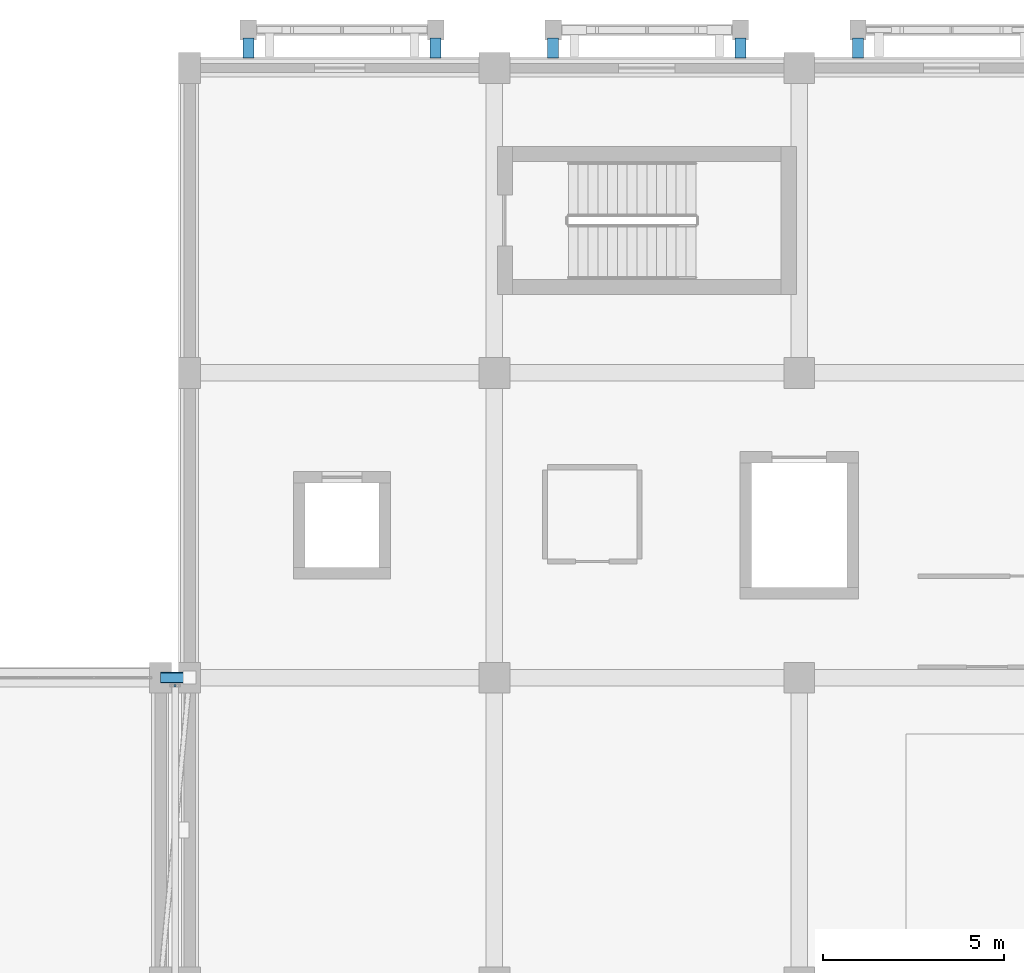
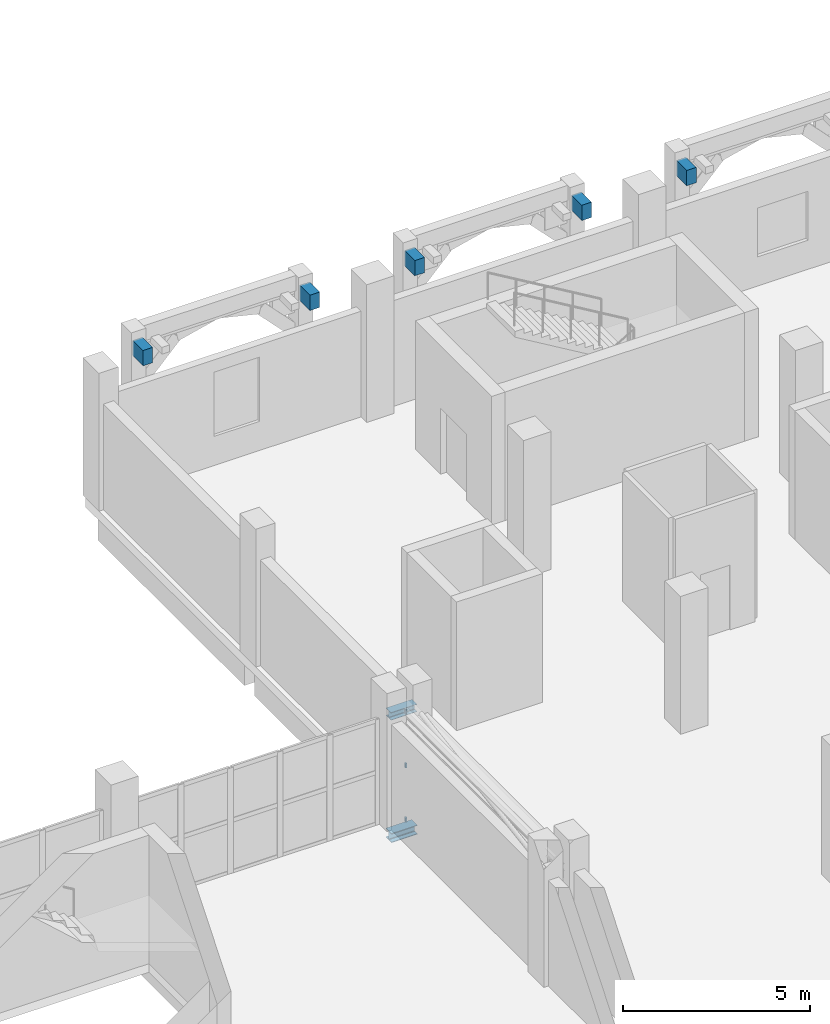
# One storey, part 85 of 137: 7 beams, 3 members, 1 element without a shape of its own.
"""IFC4 building model written with IfcOpenShell, lengths in metres."""

from ifc_helpers import new_model, si_unit, direction, frame, origin, origin_2d, place, context, subcontext, project, spatial, rectangle, hollow_rectangle, i_section, extrude, material, layer, layer_set, material_profile, profile_set, type_object, element, aggregate, save


model = new_model("IFC4")

# Units and contexts
model_context = context("Model", 3, precision=1e-05, world=origin(), true_north=direction((0.0, 1.0)))
body_context = subcontext(model_context, "Body", "Model", "MODEL_VIEW")
ifc_project = project(units=[si_unit("LENGTHUNIT", "METRE"), si_unit("AREAUNIT", "SQUARE_METRE"), si_unit("VOLUMEUNIT", "CUBIC_METRE"), si_unit("PLANEANGLEUNIT", "RADIAN"), si_unit("MASSUNIT", "GRAM", prefix="KILO")], contexts=[model_context])

# Site, building, storey
site_placement = place(None, origin())
site = spatial("IfcSite", under=ifc_project, at=site_placement, CompositionType="ELEMENT")
building_placement = place(site_placement, origin())
building = spatial("IfcBuilding", under=site, at=building_placement, Name="Xazarin Passage Department Store", CompositionType="ELEMENT")
storey_placement = place(building_placement, frame((0.0, 0.0, 5.39990234375)))
storey = spatial("IfcBuildingStorey", under=building, at=storey_placement, Name="L01", CompositionType="ELEMENT", Elevation=5.39990234375)

# Curtain wall, members
ifc_material_1 = material(Name="Bronze anodised aluminium", Category="aluminium")
ifc_layer = layer(ifc_material_1, 0.14990234375)
ifc_layer_set = layer_set([ifc_layer], Name="Bronze anodised aluminium")
curtain_wall_type = type_object("IfcCurtainWallType", Name="ARC-CW-BRG1", PredefinedType="NOTDEFINED", material=ifc_layer_set)
curtain_wall_placement = place(storey_placement, origin())
curtain_wall = element("IfcCurtainWall", 1, at=curtain_wall_placement, inside=storey, type_object=curtain_wall_type, Name="L01 BR-V2N-V4 Bridge Curtain Wall 2", PredefinedType="NOTDEFINED")
ifc_material_profile_1 = material_profile(ifc_material_1, hollow_rectangle(XDim=0.06494140625, YDim=0.139892578125, WallThickness=0.00390625, at=origin_2d()), Name="ALU 65x140")
ifc_profile_set_1 = profile_set([ifc_material_profile_1], Name="Bronze anodised aluminium")
member_type = type_object("IfcMemberType", Name="ARC-CWT-65x140", PredefinedType="USERDEFINED", material=ifc_profile_set_1)
member_1_placement = place(storey_placement, frame((101.97509765625, 92.97998046875, 0.03271484375), z_axis=(1.0, 0.0, 0.0), x_axis=(0.0, 1.0, 0.0)))
member_1 = element("IfcMember", 2, at=member_1_placement, type_object=member_type, Name="CW7 transom 1.1", ObjectType="TRANSOM", PredefinedType="USERDEFINED", context=body_context, shape_type="SweptSolid", body=[
    extrude(hollow_rectangle(XDim=0.06494140625, YDim=0.139892578125, WallThickness=0.00390625, at=origin_2d()), origin(), (0.0, 0.0, 1.0), 0.0498046875),
])
member_2_placement = place(storey_placement, frame((101.97509765625, 92.97998046875, 1.800048828125), z_axis=(1.0, 0.0, 0.0), x_axis=(0.0, 1.0, 0.0)))
member_2 = element("IfcMember", 3, at=member_2_placement, type_object=member_type, Name="CW7 transom 1.2", ObjectType="TRANSOM", PredefinedType="USERDEFINED", context=body_context, shape_type="SweptSolid", body=[
    extrude(hollow_rectangle(XDim=0.06494140625, YDim=0.139892578125, WallThickness=0.00390625, at=origin_2d()), origin(), (0.0, 0.0, 1.0), 0.0498046875),
])
member_3_placement = place(storey_placement, frame((101.97509765625, 92.97998046875, 3.567626953125), z_axis=(1.0, 0.0, 0.0), x_axis=(0.0, 1.0, 0.0)))
member_3 = element("IfcMember", 4, at=member_3_placement, type_object=member_type, Name="CW7 transom 1.3", ObjectType="TRANSOM", PredefinedType="USERDEFINED", context=body_context, shape_type="SweptSolid", body=[
    extrude(hollow_rectangle(XDim=0.06494140625, YDim=0.139892578125, WallThickness=0.00390625, at=origin_2d()), origin(), (0.0, 0.0, 1.0), 0.0498046875),
])
aggregate(curtain_wall, [member_1, member_2, member_3])

# Beams
ifc_material_2 = material(Name="Steel S355", Category="steel")
ifc_material_profile_2 = material_profile(ifc_material_2, i_section(OverallWidth=0.300048828125, OverallDepth=0.300048828125, WebThickness=0.010986328125, FlangeThickness=0.01904296875, FilletRadius=0.027099609375, at=origin_2d()), Name="HEB 300")
ifc_profile_set_2 = profile_set([ifc_material_profile_2], Name="Steel S355")
beam_type_1 = type_object("IfcBeamType", Name="STR-BM-BR300", PredefinedType="BEAM", material=ifc_profile_set_2)
beam_1_placement = place(storey_placement, frame((101.60009765625, 93.199951171875, -0.489990234375), z_axis=(1.0, 0.0, 0.0), x_axis=(0.0, 1.0, 0.0)))
element("IfcBeam", 5, at=beam_1_placement, inside=storey, type_object=beam_type_1, Name="L01 BR-V2N-V4 Bridge Girder B", PredefinedType="BEAM", context=body_context, shape_type="SweptSolid", body=[
    extrude(i_section(OverallWidth=0.300048828125, OverallDepth=0.300048828125, WebThickness=0.010986328125, FlangeThickness=0.01904296875, FilletRadius=0.027099609375, at=origin_2d()), origin(), (0.0, 0.0, 1.0), 0.7998046875),
])
ifc_material_profile_3 = material_profile(ifc_material_2, i_section(OverallWidth=0.260009765625, OverallDepth=0.25, WebThickness=0.007568359375, FlangeThickness=0.012451171875, FilletRadius=0.02392578125, at=origin_2d()), Name="HEA 260")
ifc_profile_set_3 = profile_set([ifc_material_profile_3], Name="Steel S355")
beam_type_2 = type_object("IfcBeamType", Name="STR-BM-CAN260", PredefinedType="BEAM", material=ifc_profile_set_3)
beam_2_placement = place(storey_placement, frame((101.60009765625, 93.199951171875, 3.47509765625), z_axis=(1.0, 0.0, 0.0), x_axis=(0.0, 1.0, 0.0)))
element("IfcBeam", 6, at=beam_2_placement, inside=storey, type_object=beam_type_2, Name="L01 BR-V2N-V4 Bridge Roof Beam B", PredefinedType="BEAM", context=body_context, shape_type="SweptSolid", body=[
    extrude(i_section(OverallWidth=0.260009765625, OverallDepth=0.25, WebThickness=0.007568359375, FlangeThickness=0.012451171875, FilletRadius=0.02392578125, at=origin_2d()), origin(), (0.0, 0.0, 1.0), 0.7998046875),
])
ifc_material_3 = material(Name="Concrete C35/45", Category="concrete")
ifc_material_profile_4 = material_profile(ifc_material_3, rectangle(XDim=0.300048828125, YDim=0.5, at=origin_2d()), Name="RC 300x500")
ifc_profile_set_4 = profile_set([ifc_material_profile_4], Name="Concrete C35/45")
beam_type_3 = type_object("IfcBeamType", Name="STR-BM-LN300x500", PredefinedType="LINTEL", material=ifc_profile_set_4)
for number, where, z_axis, x_axis, name in (
    (7, (104.02001953125, 110.280029296875, 3.9501953125), (0.0, 1.0, 0.0), (-1.0, 0.0, 0.0), "L01 V4 Colonnade Tie Rib 040L"),
    (8, (109.179931640625, 110.280029296875, 3.9501953125), (0.0, 1.0, 0.0), (-1.0, 0.0, 0.0), "L01 V4 Colonnade Tie Rib 040R"),
    (9, (112.419921875, 110.280029296875, 3.9501953125), (0.0, 1.0, 0.0), (-1.0, 0.0, 0.0), "L01 V4 Colonnade Tie Rib 041L"),
    (10, (117.580078125, 110.280029296875, 3.9501953125), (0.0, 1.0, 0.0), (-1.0, 0.0, 0.0), "L01 V4 Colonnade Tie Rib 041R"),
    (11, (120.820068359375, 110.280029296875, 3.9501953125), (0.0, 1.0, 0.0), (-1.0, 0.0, 0.0), "L01 V4 Colonnade Tie Rib 042L"),
):
    element("IfcBeam", number, at=place(storey_placement, frame(where, z_axis=z_axis, x_axis=x_axis)), inside=storey, type_object=beam_type_3, Name=name, PredefinedType="LINTEL", context=body_context, shape_type="SweptSolid", body=[
        extrude(rectangle(XDim=0.300048828125, YDim=0.5, at=origin_2d()), origin(), (0.0, 0.0, 1.0), 0.550048828125),
    ])

save(model, "model.ifc")
